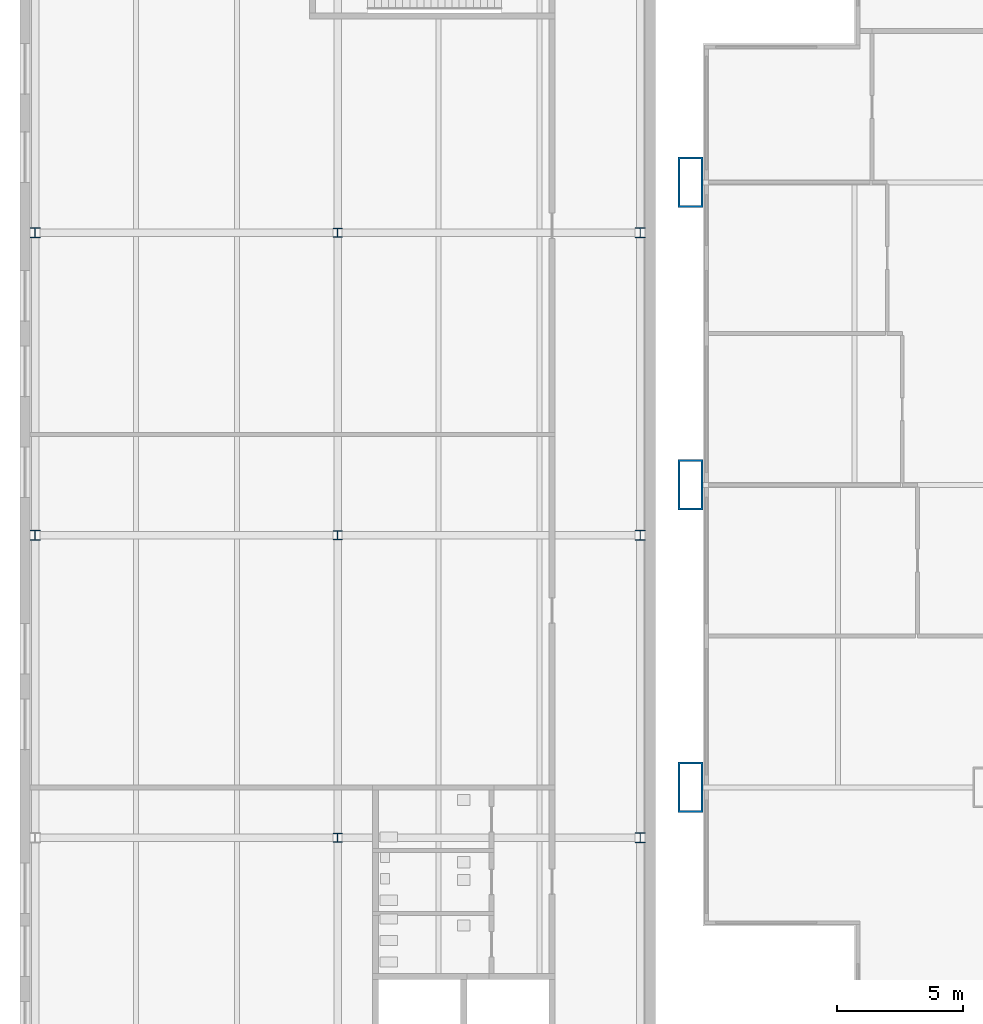
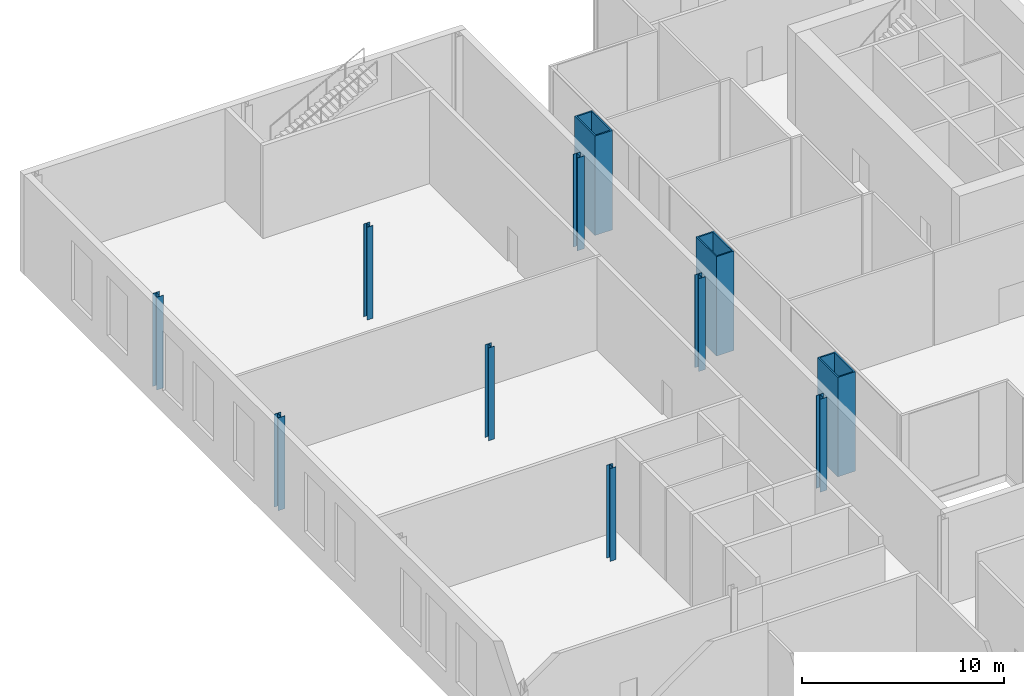
# One storey, part 3 of 25: 11 columns.
"""IFC4 building model written with IfcOpenShell, lengths in metres."""

from ifc_helpers import new_model, si_unit, direction, frame, origin, origin_2d, place, context, subcontext, project, spatial, hollow_rectangle, i_section, extrude, material, material_profile, profile_set, type_object, element, save


model = new_model("IFC4")

# Units and contexts
model_context = context("Model", 3, precision=1e-05, world=origin(), true_north=direction((0.0, 1.0)))
body_context = subcontext(model_context, "Body", "Model", "MODEL_VIEW")
ifc_project = project(units=[si_unit("LENGTHUNIT", "METRE"), si_unit("AREAUNIT", "SQUARE_METRE"), si_unit("VOLUMEUNIT", "CUBIC_METRE"), si_unit("PLANEANGLEUNIT", "RADIAN"), si_unit("MASSUNIT", "GRAM", prefix="KILO")], contexts=[model_context])

# Site, building, storey
site_placement = place(None, origin())
site = spatial("IfcSite", under=ifc_project, at=site_placement, CompositionType="ELEMENT")
building_placement = place(site_placement, origin())
building = spatial("IfcBuilding", under=site, at=building_placement, Name="Kitamizu Gate Tower and Museum", CompositionType="ELEMENT")
storey_placement = place(building_placement, frame((0.0, 0.0, 18.0)))
storey = spatial("IfcBuildingStorey", under=building, at=storey_placement, Name="L03", CompositionType="ELEMENT", Elevation=18.0)

# Columns
ifc_material_1 = material(Name="Steel SS400", Category="steel")
ifc_material_profile_1 = material_profile(ifc_material_1, i_section(OverallWidth=0.35009765625, OverallDepth=0.35009765625, WebThickness=0.011962890625, FlangeThickness=0.01904296875, FilletRadius=0.012939453125, at=origin_2d()), Name="H-350x350x12x19")
ifc_profile_set_1 = profile_set([ifc_material_profile_1], Name="Steel SS400")
column_type_1 = type_object("IfcColumnType", Name="Museum column H 350x350x12x19", PredefinedType="COLUMN", material=ifc_profile_set_1)
for number, where, z_axis, x_axis, name in (
    (1, (-14.0, 10.0, 0.0), (0.0, 0.0, 1.0), (1.0, 0.0, 0.0), "Column M2MD"),
    (2, (-14.0, 22.0, 0.0), (0.0, 0.0, 1.0), (1.0, 0.0, 0.0), "Column M2ME"),
    (3, (-14.0, 34.0, 0.0), (0.0, 0.0, 1.0), (1.0, 0.0, 0.0), "Column M2MF"),
):
    element("IfcColumn", number, at=place(storey_placement, frame(where, z_axis=z_axis, x_axis=x_axis)), inside=storey, type_object=column_type_1, Name=name, PredefinedType="COLUMN", context=body_context, shape_type="SweptSolid", body=[
        extrude(i_section(OverallWidth=0.35009765625, OverallDepth=0.35009765625, WebThickness=0.011962890625, FlangeThickness=0.01904296875, FilletRadius=0.012939453125, at=origin_2d()), origin(), (0.0, 0.0, 1.0), 5.60009765625),
    ])
ifc_material_2 = material(Name="Steel SS400", Category="steel")
ifc_material_profile_2 = material_profile(ifc_material_2, i_section(OverallWidth=0.39990234375, OverallDepth=0.39990234375, WebThickness=0.012939453125, FlangeThickness=0.02099609375, FilletRadius=0.02197265625, at=origin_2d()), Name="H-400x400x13x21")
ifc_profile_set_2 = profile_set([ifc_material_profile_2], Name="Steel SS400")
column_type_2 = type_object("IfcColumnType", Name="Museum perimeter column H 400x400x13x21", PredefinedType="COLUMN", material=ifc_profile_set_2)
for number, where, z_axis, x_axis, name in (
    (4, (-26.0, 22.0, 0.0), (0.0, 0.0, 1.0), (1.0, 0.0, 0.0), "Column M1ME"),
    (5, (-26.0, 34.0, 0.0), (0.0, 0.0, 1.0), (1.0, 0.0, 0.0), "Column M1MF"),
    (6, (-2.0, 10.0, 0.0), (0.0, 0.0, 1.0), (1.0, 0.0, 0.0), "Column M3MD"),
    (7, (-2.0, 22.0, 0.0), (0.0, 0.0, 1.0), (1.0, 0.0, 0.0), "Column M3ME"),
    (8, (-2.0, 34.0, 0.0), (0.0, 0.0, 1.0), (1.0, 0.0, 0.0), "Column M3MF"),
):
    element("IfcColumn", number, at=place(storey_placement, frame(where, z_axis=z_axis, x_axis=x_axis)), inside=storey, type_object=column_type_2, Name=name, PredefinedType="COLUMN", context=body_context, shape_type="SweptSolid", body=[
        extrude(i_section(OverallWidth=0.39990234375, OverallDepth=0.39990234375, WebThickness=0.012939453125, FlangeThickness=0.02099609375, FilletRadius=0.02197265625, at=origin_2d()), origin(), (0.0, 0.0, 1.0), 5.60009765625),
    ])
ifc_material_3 = material(Name="Steel SM490A bronze coated", Category="steel")
ifc_material_profile_3 = material_profile(ifc_material_3, hollow_rectangle(XDim=2.0, YDim=1.0, WallThickness=0.080078125, at=origin_2d()), Name="BOX 2000x1000x80")
ifc_profile_set_3 = profile_set([ifc_material_profile_3], Name="Steel SM490A bronze coated")
column_type_3 = type_object("IfcColumnType", Name="Podium leg column LC1 BOX 2000x1000x80", PredefinedType="COLUMN", material=ifc_profile_set_3)
for number, where, z_axis, x_axis, name in (
    (9, (0.0, 12.0, -0.39990234375), (0.0, 0.0, 1.0), (0.0, 1.0, 0.0), "Column LC1 1B L03"),
    (10, (0.0, 24.0, -0.39990234375), (0.0, 0.0, 1.0), (0.0, 1.0, 0.0), "Column LC1 1C L03"),
    (11, (0.0, 36.0, -0.39990234375), (0.0, 0.0, 1.0), (0.0, 1.0, 0.0), "Column LC1 1D L03"),
):
    element("IfcColumn", number, at=place(storey_placement, frame(where, z_axis=z_axis, x_axis=x_axis)), inside=storey, type_object=column_type_3, Name=name, PredefinedType="COLUMN", context=body_context, shape_type="SweptSolid", body=[
        extrude(hollow_rectangle(XDim=2.0, YDim=1.0, WallThickness=0.080078125, at=origin_2d()), origin(), (0.0, 0.0, 1.0), 6.0),
    ])

save(model, "model.ifc")
